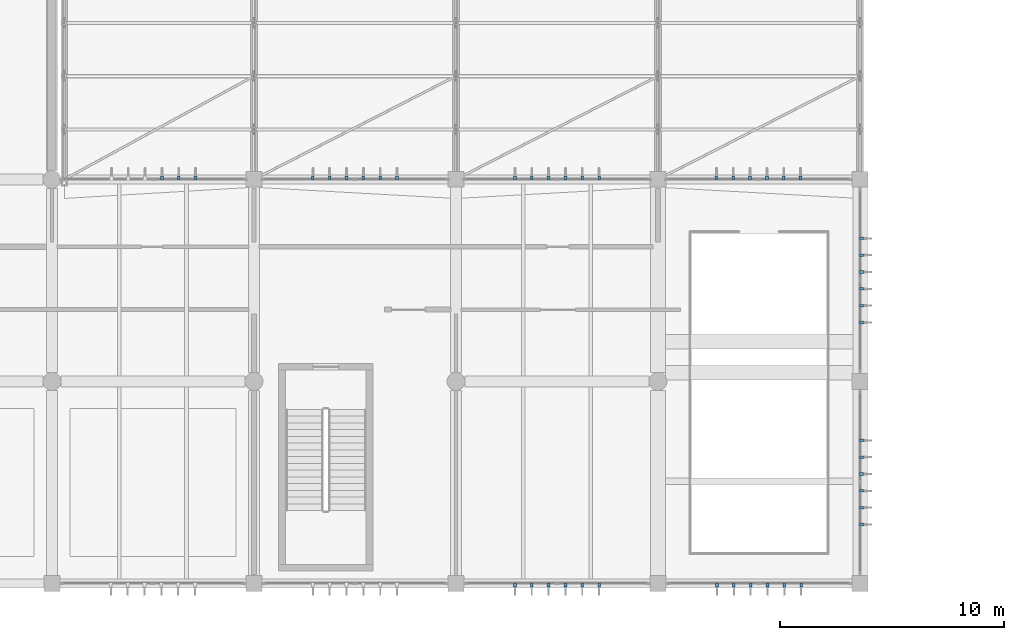
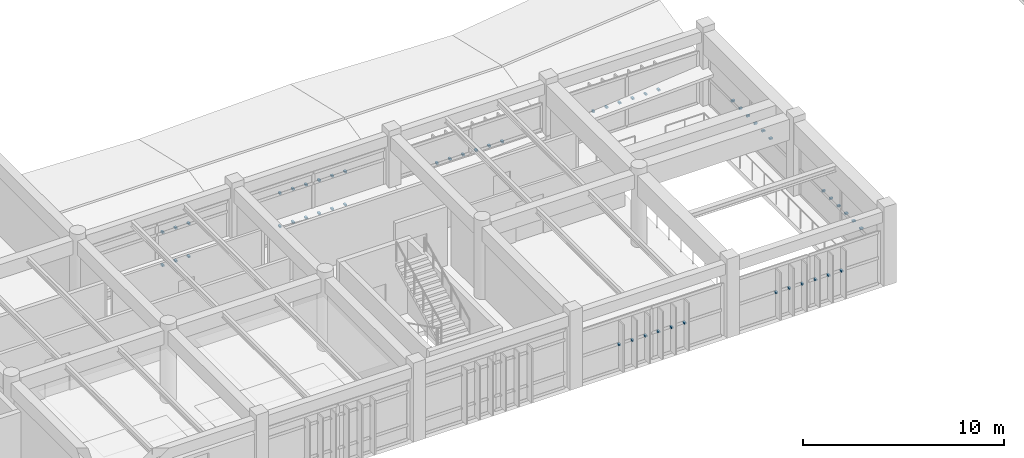
# One storey, part 81 of 90: 54 discrete accessories.
"""IFC4 building model written with IfcOpenShell, lengths in metres."""

from ifc_helpers import new_model, si_unit, direction, frame, origin, origin_2d, place, context, subcontext, project, spatial, rectangle, extrude, material, type_object, element, save


model = new_model("IFC4")

# Units and contexts
model_context = context("Model", 3, precision=1e-05, world=origin(), true_north=direction((0.0, 1.0)))
body_context = subcontext(model_context, "Body", "Model", "MODEL_VIEW")
ifc_project = project(units=[si_unit("LENGTHUNIT", "METRE"), si_unit("AREAUNIT", "SQUARE_METRE"), si_unit("VOLUMEUNIT", "CUBIC_METRE"), si_unit("PLANEANGLEUNIT", "RADIAN"), si_unit("MASSUNIT", "GRAM", prefix="KILO")], contexts=[model_context])

# Site, building, storey
site_placement = place(None, origin())
site = spatial("IfcSite", under=ifc_project, at=site_placement, CompositionType="ELEMENT")
building_placement = place(site_placement, origin())
building = spatial("IfcBuilding", under=site, at=building_placement, Name="Bozkorgan Art Gallery", CompositionType="ELEMENT")
storey_placement = place(building_placement, frame((0.0, 0.0, 5.39990234375)))
storey = spatial("IfcBuildingStorey", under=building, at=storey_placement, Name="L01", CompositionType="ELEMENT", Elevation=5.39990234375)

# Discrete accessories
ifc_material = material(Name="Steel S355J2", Category="steel")
discrete_accessory_type = type_object("IfcDiscreteAccessoryType", Name="ACC-BRK-01", PredefinedType="BRACKET", material=ifc_material)
for number, where, z_axis, x_axis, name in (
    (1, (33.89990234375, 20.06005859375, 0.8701171875), (0.0, 0.0, 1.0), (0.0, 1.0, 0.0), "CW-V1-L01-1N-05 solar fin bracket 4B"),
    (2, (33.89990234375, 20.06005859375, 2.875), (0.0, 0.0, 1.0), (0.0, 1.0, 0.0), "CW-V1-L01-1N-05 solar fin bracket 4T"),
    (3, (34.64990234375, 20.06005859375, 0.8701171875), (0.0, 0.0, 1.0), (0.0, 1.0, 0.0), "CW-V1-L01-1N-05 solar fin bracket 5B"),
    (4, (34.64990234375, 20.06005859375, 2.875), (0.0, 0.0, 1.0), (0.0, 1.0, 0.0), "CW-V1-L01-1N-05 solar fin bracket 5T"),
    (5, (35.39990234375, 20.06005859375, 0.8701171875), (0.0, 0.0, 1.0), (0.0, 1.0, 0.0), "CW-V1-L01-1N-05 solar fin bracket 6B"),
    (6, (35.39990234375, 20.06005859375, 2.875), (0.0, 0.0, 1.0), (0.0, 1.0, 0.0), "CW-V1-L01-1N-05 solar fin bracket 6T"),
    (7, (40.625, 20.06005859375, 0.8701171875), (0.0, 0.0, 1.0), (0.0, 1.0, 0.0), "CW-V1-L01-1N-07 solar fin bracket 1B"),
    (8, (40.625, 20.06005859375, 2.875), (0.0, 0.0, 1.0), (0.0, 1.0, 0.0), "CW-V1-L01-1N-07 solar fin bracket 1T"),
    (9, (41.375, 20.06005859375, 0.8701171875), (0.0, 0.0, 1.0), (0.0, 1.0, 0.0), "CW-V1-L01-1N-07 solar fin bracket 2B"),
    (10, (41.375, 20.06005859375, 2.875), (0.0, 0.0, 1.0), (0.0, 1.0, 0.0), "CW-V1-L01-1N-07 solar fin bracket 2T"),
    (11, (42.125, 20.06005859375, 0.8701171875), (0.0, 0.0, 1.0), (0.0, 1.0, 0.0), "CW-V1-L01-1N-07 solar fin bracket 3B"),
    (12, (42.125, 20.06005859375, 2.875), (0.0, 0.0, 1.0), (0.0, 1.0, 0.0), "CW-V1-L01-1N-07 solar fin bracket 3T"),
    (13, (42.875, 20.06005859375, 0.8701171875), (0.0, 0.0, 1.0), (0.0, 1.0, 0.0), "CW-V1-L01-1N-07 solar fin bracket 4B"),
    (14, (42.875, 20.06005859375, 2.875), (0.0, 0.0, 1.0), (0.0, 1.0, 0.0), "CW-V1-L01-1N-07 solar fin bracket 4T"),
    (15, (43.625, 20.06005859375, 0.8701171875), (0.0, 0.0, 1.0), (0.0, 1.0, 0.0), "CW-V1-L01-1N-07 solar fin bracket 5B"),
    (16, (43.625, 20.06005859375, 2.875), (0.0, 0.0, 1.0), (0.0, 1.0, 0.0), "CW-V1-L01-1N-07 solar fin bracket 5T"),
    (17, (44.375, 20.06005859375, 0.8701171875), (0.0, 0.0, 1.0), (0.0, 1.0, 0.0), "CW-V1-L01-1N-07 solar fin bracket 6B"),
    (18, (44.375, 20.06005859375, 2.875), (0.0, 0.0, 1.0), (0.0, 1.0, 0.0), "CW-V1-L01-1N-07 solar fin bracket 6T"),
    (19, (49.625, 1.93994140625, 1.547119140625), (0.0, 0.0, 1.0), (0.0, -1.0, 0.0), "CW-V1-L01-1S-08 solar fin bracket 1M"),
    (20, (50.375, 1.93994140625, 1.547119140625), (0.0, 0.0, 1.0), (0.0, -1.0, 0.0), "CW-V1-L01-1S-08 solar fin bracket 2M"),
    (21, (51.125, 1.93994140625, 1.547119140625), (0.0, 0.0, 1.0), (0.0, -1.0, 0.0), "CW-V1-L01-1S-08 solar fin bracket 3M"),
    (22, (51.875, 1.93994140625, 1.547119140625), (0.0, 0.0, 1.0), (0.0, -1.0, 0.0), "CW-V1-L01-1S-08 solar fin bracket 4M"),
    (23, (52.625, 1.93994140625, 1.547119140625), (0.0, 0.0, 1.0), (0.0, -1.0, 0.0), "CW-V1-L01-1S-08 solar fin bracket 5M"),
    (24, (53.375, 1.93994140625, 1.547119140625), (0.0, 0.0, 1.0), (0.0, -1.0, 0.0), "CW-V1-L01-1S-08 solar fin bracket 6M"),
    (25, (49.625, 20.06005859375, 1.547119140625), (0.0, 0.0, 1.0), (0.0, 1.0, 0.0), "CW-V1-L01-1N-09 solar fin bracket 1M"),
    (26, (50.375, 20.06005859375, 1.547119140625), (0.0, 0.0, 1.0), (0.0, 1.0, 0.0), "CW-V1-L01-1N-09 solar fin bracket 2M"),
    (27, (51.125, 20.06005859375, 1.547119140625), (0.0, 0.0, 1.0), (0.0, 1.0, 0.0), "CW-V1-L01-1N-09 solar fin bracket 3M"),
    (28, (51.875, 20.06005859375, 1.547119140625), (0.0, 0.0, 1.0), (0.0, 1.0, 0.0), "CW-V1-L01-1N-09 solar fin bracket 4M"),
    (29, (52.625, 20.06005859375, 1.547119140625), (0.0, 0.0, 1.0), (0.0, 1.0, 0.0), "CW-V1-L01-1N-09 solar fin bracket 5M"),
    (30, (53.375, 20.06005859375, 1.547119140625), (0.0, 0.0, 1.0), (0.0, 1.0, 0.0), "CW-V1-L01-1N-09 solar fin bracket 6M"),
    (31, (58.625, 1.93994140625, 1.547119140625), (0.0, 0.0, 1.0), (0.0, -1.0, 0.0), "CW-V1-L01-1S-10 solar fin bracket 1M"),
    (32, (59.375, 1.93994140625, 1.547119140625), (0.0, 0.0, 1.0), (0.0, -1.0, 0.0), "CW-V1-L01-1S-10 solar fin bracket 2M"),
    (33, (60.125, 1.93994140625, 1.547119140625), (0.0, 0.0, 1.0), (0.0, -1.0, 0.0), "CW-V1-L01-1S-10 solar fin bracket 3M"),
    (34, (60.875, 1.93994140625, 1.547119140625), (0.0, 0.0, 1.0), (0.0, -1.0, 0.0), "CW-V1-L01-1S-10 solar fin bracket 4M"),
    (35, (61.625, 1.93994140625, 1.547119140625), (0.0, 0.0, 1.0), (0.0, -1.0, 0.0), "CW-V1-L01-1S-10 solar fin bracket 5M"),
    (36, (62.375, 1.93994140625, 1.547119140625), (0.0, 0.0, 1.0), (0.0, -1.0, 0.0), "CW-V1-L01-1S-10 solar fin bracket 6M"),
    (37, (58.60009765625, 20.06005859375, 1.547119140625), (0.0, 0.0, 1.0), (0.0, 1.0, 0.0), "CW-V1-L01-1N-11 solar fin bracket 1M"),
    (38, (59.35009765625, 20.06005859375, 1.547119140625), (0.0, 0.0, 1.0), (0.0, 1.0, 0.0), "CW-V1-L01-1N-11 solar fin bracket 2M"),
    (39, (60.10009765625, 20.06005859375, 1.547119140625), (0.0, 0.0, 1.0), (0.0, 1.0, 0.0), "CW-V1-L01-1N-11 solar fin bracket 3M"),
    (40, (60.85009765625, 20.06005859375, 1.547119140625), (0.0, 0.0, 1.0), (0.0, 1.0, 0.0), "CW-V1-L01-1N-11 solar fin bracket 4M"),
    (41, (61.60009765625, 20.06005859375, 1.547119140625), (0.0, 0.0, 1.0), (0.0, 1.0, 0.0), "CW-V1-L01-1N-11 solar fin bracket 5M"),
    (42, (62.35009765625, 20.06005859375, 1.547119140625), (0.0, 0.0, 1.0), (0.0, 1.0, 0.0), "CW-V1-L01-1N-11 solar fin bracket 6M"),
    (43, (65.06005859375, 4.625, 1.547119140625), (0.0, 0.0, 1.0), (1.0, 0.0, 0.0), "CW-V1-L01-1E-13 solar fin bracket 1M"),
    (44, (65.06005859375, 5.375, 1.547119140625), (0.0, 0.0, 1.0), (1.0, 0.0, 0.0), "CW-V1-L01-1E-13 solar fin bracket 2M"),
    (45, (65.06005859375, 6.125, 1.547119140625), (0.0, 0.0, 1.0), (1.0, 0.0, 0.0), "CW-V1-L01-1E-13 solar fin bracket 3M"),
    (46, (65.06005859375, 6.875, 1.547119140625), (0.0, 0.0, 1.0), (1.0, 0.0, 0.0), "CW-V1-L01-1E-13 solar fin bracket 4M"),
    (47, (65.06005859375, 7.625, 1.547119140625), (0.0, 0.0, 1.0), (1.0, 0.0, 0.0), "CW-V1-L01-1E-13 solar fin bracket 5M"),
    (48, (65.06005859375, 8.375, 1.547119140625), (0.0, 0.0, 1.0), (1.0, 0.0, 0.0), "CW-V1-L01-1E-13 solar fin bracket 6M"),
    (49, (65.06005859375, 13.625, 1.547119140625), (0.0, 0.0, 1.0), (1.0, 0.0, 0.0), "CW-V1-L01-1E-15 solar fin bracket 1M"),
    (50, (65.06005859375, 14.375, 1.547119140625), (0.0, 0.0, 1.0), (1.0, 0.0, 0.0), "CW-V1-L01-1E-15 solar fin bracket 2M"),
    (51, (65.06005859375, 15.125, 1.547119140625), (0.0, 0.0, 1.0), (1.0, 0.0, 0.0), "CW-V1-L01-1E-15 solar fin bracket 3M"),
    (52, (65.06005859375, 15.875, 1.547119140625), (0.0, 0.0, 1.0), (1.0, 0.0, 0.0), "CW-V1-L01-1E-15 solar fin bracket 4M"),
    (53, (65.06005859375, 16.625, 1.547119140625), (0.0, 0.0, 1.0), (1.0, 0.0, 0.0), "CW-V1-L01-1E-15 solar fin bracket 5M"),
    (54, (65.06005859375, 17.375, 1.547119140625), (0.0, 0.0, 1.0), (1.0, 0.0, 0.0), "CW-V1-L01-1E-15 solar fin bracket 6M"),
):
    element("IfcDiscreteAccessory", number, at=place(storey_placement, frame(where, z_axis=z_axis, x_axis=x_axis)), inside=storey, type_object=discrete_accessory_type, Name=name, PredefinedType="BRACKET", context=body_context, shape_type="SweptSolid", body=[
        extrude(rectangle(XDim=0.179931640625, YDim=0.1201171875, at=origin_2d()), origin(), (0.0, 0.0, 1.0), 0.10009765625),
    ])

save(model, "model.ifc")
